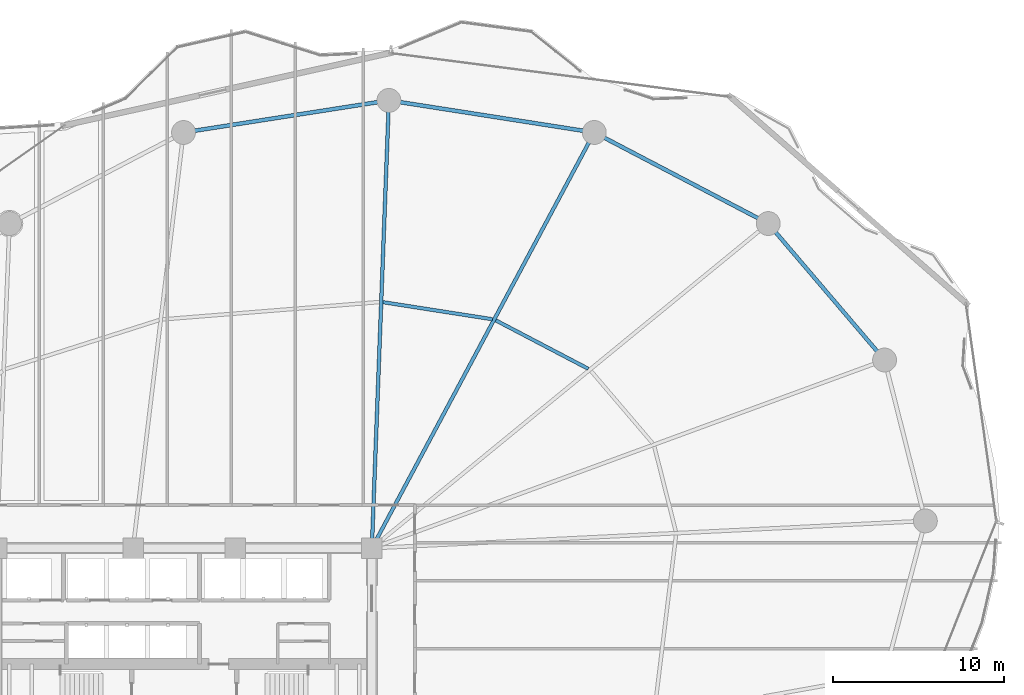
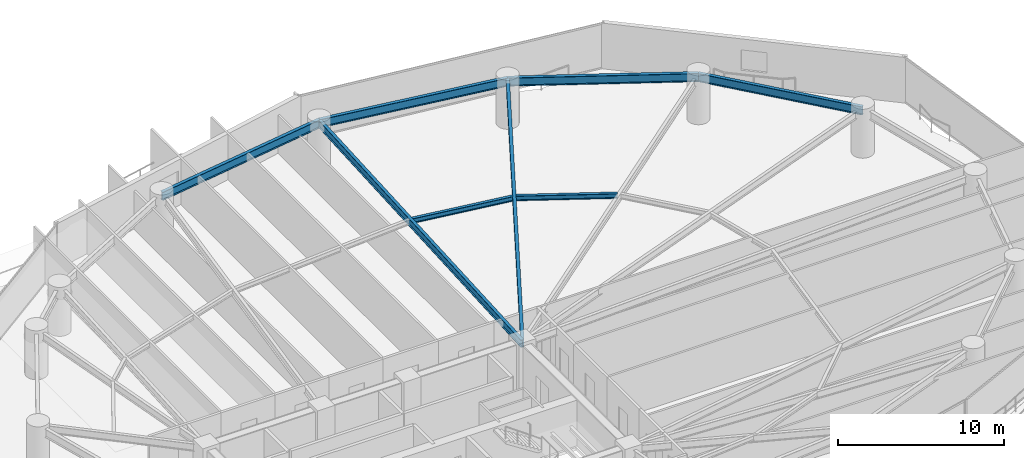
# One storey, part 18 of 32: 8 beams.
"""IFC4 building model written with IfcOpenShell, lengths in metres."""

from ifc_helpers import new_model, si_unit, direction, frame, origin, origin_2d, place, context, subcontext, project, spatial, i_section, extrude, material, material_profile, profile_set, type_object, element, save


model = new_model("IFC4")

# Units and contexts
model_context = context("Model", 3, precision=1e-05, world=origin(), true_north=direction((0.0, 1.0)))
body_context = subcontext(model_context, "Body", "Model", "MODEL_VIEW")
ifc_project = project(units=[si_unit("LENGTHUNIT", "METRE"), si_unit("AREAUNIT", "SQUARE_METRE"), si_unit("VOLUMEUNIT", "CUBIC_METRE"), si_unit("PLANEANGLEUNIT", "RADIAN"), si_unit("MASSUNIT", "GRAM", prefix="KILO")], contexts=[model_context])

# Site, building, storey
site_placement = place(None, origin())
site = spatial("IfcSite", under=ifc_project, at=site_placement, CompositionType="ELEMENT")
building_placement = place(site_placement, origin())
building = spatial("IfcBuilding", under=site, at=building_placement, Name="Kazevale Care Tower and Concert Hall", CompositionType="ELEMENT")
storey_placement = place(building_placement, frame((0.0, 0.0, 42.0)))
storey = spatial("IfcBuildingStorey", under=building, at=storey_placement, Name="L10", CompositionType="ELEMENT", Elevation=42.0)

# Beams
ifc_material = material(Name="Steel ASTM A572 Gr 50", Category="steel")
ifc_material_profile_1 = material_profile(ifc_material, i_section(OverallWidth=0.2119140625, OverallDepth=0.5439453125, WebThickness=0.01318359375, FlangeThickness=0.021240234375, at=origin_2d()), Name="W530x123")
ifc_profile_set_1 = profile_set([ifc_material_profile_1], Name="Steel ASTM A572 Gr 50")
beam_type_1 = type_object("IfcBeamType", Name="Radial Floor Girder W530x123", PredefinedType="BEAM", material=ifc_profile_set_1)
beam_1_placement = place(storey_placement, frame((44.0, 36.39990234375, 3.087890625), z_axis=(0.471788966953, 0.88171150081, 0.0), x_axis=(-0.88171150081, 0.471788966953, 0.0)))
element("IfcBeam", 1, at=beam_1_placement, inside=storey, type_object=beam_type_1, Name="beam:L10:rad:04", PredefinedType="BEAM", context=body_context, shape_type="SweptSolid", body=[
    extrude(i_section(OverallWidth=0.2119140625, OverallDepth=0.5439453125, WebThickness=0.01318359375, FlangeThickness=0.021240234375, at=origin_2d()), origin(), (0.0, 0.0, 1.0), 27.6396484375),
])
beam_2_placement = place(storey_placement, frame((44.0, 36.39990234375, 3.087890625), z_axis=(0.038067625343, 0.999275165258, 0.0), x_axis=(-0.999275165258, 0.038067625343, 0.0)))
element("IfcBeam", 2, at=beam_2_placement, inside=storey, type_object=beam_type_1, Name="beam:L10:rad:05", PredefinedType="BEAM", context=body_context, shape_type="SweptSolid", body=[
    extrude(i_section(OverallWidth=0.2119140625, OverallDepth=0.5439453125, WebThickness=0.01318359375, FlangeThickness=0.021240234375, at=origin_2d()), origin(), (0.0, 0.0, 1.0), 26.26904296875),
])
ifc_material_profile_2 = material_profile(ifc_material, i_section(OverallWidth=0.22900390625, OverallDepth=0.612060546875, WebThickness=0.011962890625, FlangeThickness=0.01953125, at=origin_2d()), Name="W610x125")
ifc_profile_set_2 = profile_set([ifc_material_profile_2], Name="Steel ASTM A572 Gr 50")
beam_type_2 = type_object("IfcBeamType", Name="Ring Spandrel Beam W610x125", PredefinedType="SPANDREL", material=ifc_profile_set_2)
beam_3_placement = place(storey_placement, frame((74.06005859375, 47.429931640625, 3.053955078125), z_axis=(-0.648756004283, 0.760996482848, 0.0), x_axis=(-0.760996482848, -0.648756004283, 0.0)))
element("IfcBeam", 3, at=beam_3_placement, inside=storey, type_object=beam_type_2, Name="beam:L10:ring:02", PredefinedType="SPANDREL", context=body_context, shape_type="SweptSolid", body=[
    extrude(i_section(OverallWidth=0.22900390625, OverallDepth=0.612060546875, WebThickness=0.011962890625, FlangeThickness=0.01953125, at=origin_2d()), origin(), (0.0, 0.0, 1.0), 10.512451171875),
])
beam_4_placement = place(storey_placement, frame((67.239990234375, 55.429931640625, 3.053955078125), z_axis=(-0.885929466679, 0.463819986708, 0.0), x_axis=(-0.463819986708, -0.885929466679, 0.0)))
element("IfcBeam", 4, at=beam_4_placement, inside=storey, type_object=beam_type_2, Name="beam:L10:ring:03", PredefinedType="SPANDREL", context=body_context, shape_type="SweptSolid", body=[
    extrude(i_section(OverallWidth=0.22900390625, OverallDepth=0.612060546875, WebThickness=0.011962890625, FlangeThickness=0.01953125, at=origin_2d()), origin(), (0.0, 0.0, 1.0), 11.51318359375),
])
for number, where, z_axis, x_axis, name in (
    (5, (57.0400390625, 60.77001953125, 3.053955078125), (-0.988029216561, 0.154266870134, 0.0), (-0.154266870134, -0.988029216561, 0.0), "beam:L10:ring:04"),
    (6, (45.0, 62.64990234375, 3.053955078125), (-0.988029216561, -0.154266870134, 0.0), (0.154266870134, -0.988029216561, 0.0), "beam:L10:ring:05"),
):
    element("IfcBeam", number, at=place(storey_placement, frame(where, z_axis=z_axis, x_axis=x_axis)), inside=storey, type_object=beam_type_2, Name=name, PredefinedType="SPANDREL", context=body_context, shape_type="SweptSolid", body=[
        extrude(i_section(OverallWidth=0.22900390625, OverallDepth=0.612060546875, WebThickness=0.011962890625, FlangeThickness=0.01953125, at=origin_2d()), origin(), (0.0, 0.0, 1.0), 12.18603515625),
    ])
ifc_material_profile_3 = material_profile(ifc_material, i_section(OverallWidth=0.205078125, OverallDepth=0.35400390625, WebThickness=0.009521484375, FlangeThickness=0.016845703125, at=origin_2d()), Name="W360x79")
ifc_profile_set_3 = profile_set([ifc_material_profile_3], Name="Steel ASTM A572 Gr 50")
beam_type_3 = type_object("IfcBeamType", Name="Secondary Floor Joist W360x79", PredefinedType="JOIST", material=ifc_profile_set_3)
beam_5_placement = place(storey_placement, frame((56.68896484375, 46.9150390625, 3.18310546875), z_axis=(-0.885921274797, 0.463835633454, 0.0), x_axis=(-0.463835633454, -0.885921274797, 0.0)))
element("IfcBeam", 7, at=beam_5_placement, inside=storey, type_object=beam_type_3, Name="beam:L10:joist:03", PredefinedType="JOIST", context=body_context, shape_type="SweptSolid", body=[
    extrude(i_section(OverallWidth=0.205078125, OverallDepth=0.35400390625, WebThickness=0.009521484375, FlangeThickness=0.016845703125, at=origin_2d()), origin(), (0.0, 0.0, 1.0), 6.12255859375),
])
beam_6_placement = place(storey_placement, frame((51.068115234375, 49.820068359375, 3.18310546875), z_axis=(-0.988040697826, 0.154193318403, 0.0), x_axis=(-0.154193318403, -0.988040697826, 0.0)))
element("IfcBeam", 8, at=beam_6_placement, inside=storey, type_object=beam_type_3, Name="beam:L10:joist:04", PredefinedType="JOIST", context=body_context, shape_type="SweptSolid", body=[
    extrude(i_section(OverallWidth=0.205078125, OverallDepth=0.35400390625, WebThickness=0.009521484375, FlangeThickness=0.016845703125, at=origin_2d()), origin(), (0.0, 0.0, 1.0), 6.49169921875),
])

save(model, "model.ifc")
